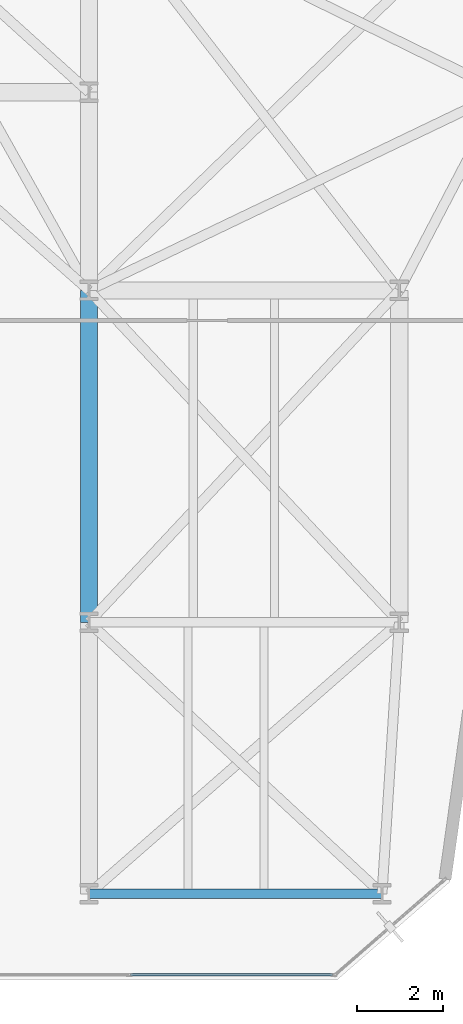
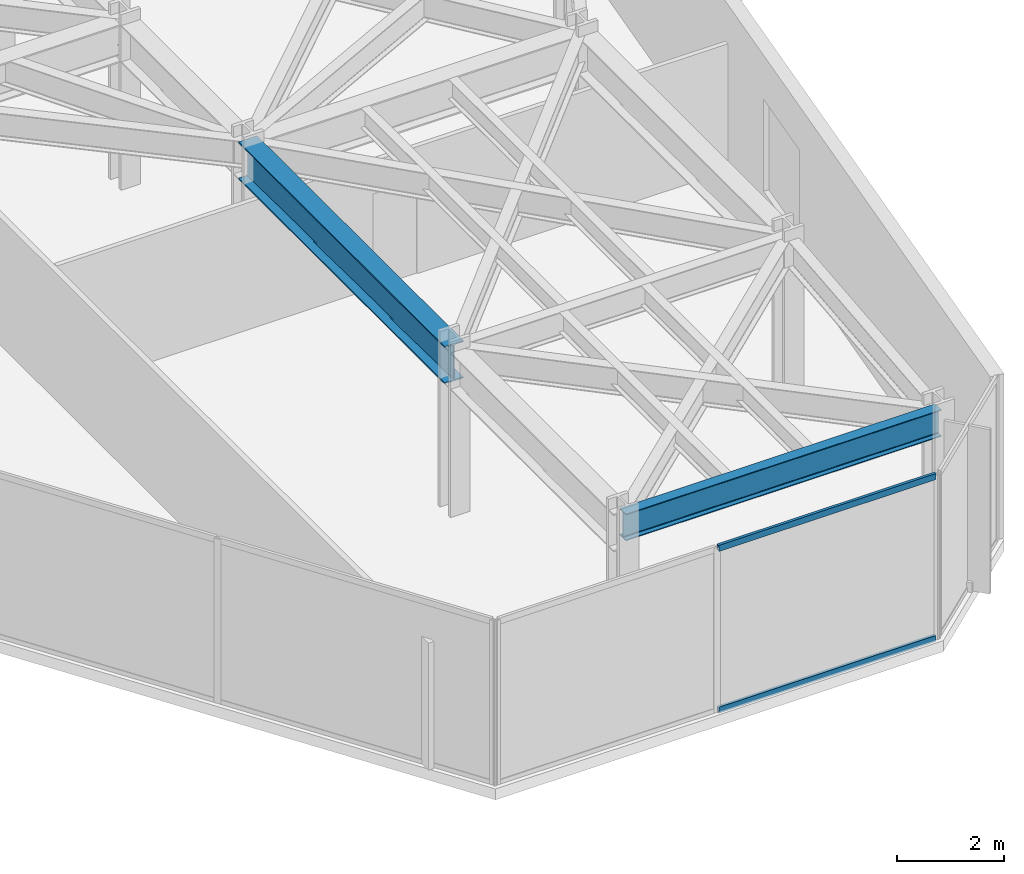
# One storey, part 18 of 26: 2 beams, 2 members, 1 element without a shape of its own.
"""IFC4 building model written with IfcOpenShell, lengths in metres."""

from ifc_helpers import new_model, si_unit, direction, frame, origin, origin_2d, place, context, subcontext, project, spatial, hollow_rectangle, i_section, extrude, material, layer, layer_set, material_profile, profile_set, type_object, element, aggregate, save


model = new_model("IFC4")

# Units and contexts
model_context = context("Model", 3, precision=1e-05, world=origin(), true_north=direction((0.0, 1.0)))
body_context = subcontext(model_context, "Body", "Model", "MODEL_VIEW")
ifc_project = project(units=[si_unit("LENGTHUNIT", "METRE"), si_unit("AREAUNIT", "SQUARE_METRE"), si_unit("VOLUMEUNIT", "CUBIC_METRE"), si_unit("PLANEANGLEUNIT", "RADIAN"), si_unit("MASSUNIT", "GRAM", prefix="KILO")], contexts=[model_context])

# Site, building, storey
site_placement = place(None, origin())
site = spatial("IfcSite", under=ifc_project, at=site_placement, CompositionType="ELEMENT")
building_placement = place(site_placement, origin())
building = spatial("IfcBuilding", under=site, at=building_placement, Name="Kravanh Interchange Tower", CompositionType="ELEMENT")
storey_placement = place(building_placement, frame((0.0, 0.0, 124.0)))
storey = spatial("IfcBuildingStorey", under=building, at=storey_placement, Name="L29", CompositionType="ELEMENT", Elevation=124.0)

# Curtain wall, members
ifc_material_1 = material(Name="Anodised Bronze Aluminium", Category="aluminium")
ifc_layer = layer(ifc_material_1, 0.179931640625)
ifc_layer_set = layer_set([ifc_layer], Name="Unitised Curtain Wall System CW-Z2 Mid Office")
curtain_wall_type = type_object("IfcCurtainWallType", Name="Unitised Curtain Wall System CW-Z2 Mid Office", PredefinedType="NOTDEFINED", material=ifc_layer_set)
curtain_wall_placement = place(storey_placement, origin())
curtain_wall = element("IfcCurtainWall", 1, at=curtain_wall_placement, inside=storey, type_object=curtain_wall_type, Name="L29 Unitised Curtain Wall CW-L29-03", PredefinedType="NOTDEFINED")
ifc_material_2 = material(Name="Anodised Bronze Aluminium", Category="aluminium")
ifc_material_profile_1 = material_profile(ifc_material_2, hollow_rectangle(XDim=0.06005859375, YDim=0.139892578125, WallThickness=0.00390625, at=origin_2d()), Name="ALU60X140X4")
ifc_profile_set_1 = profile_set([ifc_material_profile_1], Name="Anodised Bronze Aluminium")
member_type = type_object("IfcMemberType", Name="Curtain Wall Transom ALU60X140X4 Bronze", PredefinedType="USERDEFINED", material=ifc_profile_set_1)
member_1_placement = place(storey_placement, frame((61.650146484375, 6.320068359375, 0.030029296875), z_axis=(-1.0, 0.0, 0.0), x_axis=(0.0, -1.0, 0.0)))
member_1 = element("IfcMember", 2, at=member_1_placement, type_object=member_type, Name="CW-Z2 transom 1.1", ObjectType="TRANSOM", PredefinedType="USERDEFINED", context=body_context, shape_type="SweptSolid", body=[
    extrude(hollow_rectangle(XDim=0.06005859375, YDim=0.139892578125, WallThickness=0.00390625, at=origin_2d()), origin(), (0.0, 0.0, 1.0), 4.68212890625),
])
member_2_placement = place(storey_placement, frame((61.650146484375, 6.320068359375, 3.719970703125), z_axis=(-1.0, 0.0, 0.0), x_axis=(0.0, -1.0, 0.0)))
member_2 = element("IfcMember", 3, at=member_2_placement, type_object=member_type, Name="CW-Z2 transom 1.2", ObjectType="TRANSOM", PredefinedType="USERDEFINED", context=body_context, shape_type="SweptSolid", body=[
    extrude(hollow_rectangle(XDim=0.06005859375, YDim=0.139892578125, WallThickness=0.00390625, at=origin_2d()), origin(), (0.0, 0.0, 1.0), 4.68212890625),
])
aggregate(curtain_wall, [member_1, member_2])

# Beams
ifc_material_3 = material(Name="Structural Steel S355", Category="steel")
ifc_material_profile_2 = material_profile(ifc_material_3, i_section(OverallWidth=0.39990234375, OverallDepth=0.85595703125, WebThickness=0.018310546875, FlangeThickness=0.029296875, FilletRadius=0.02490234375, at=origin_2d()), Name="W33X201")
ifc_profile_set_2 = profile_set([ifc_material_profile_2], Name="Structural Steel S355")
beam_type_1 = type_object("IfcBeamType", Name="Floor Beam W33X201 Structural Steel S355", PredefinedType="BEAM", material=ifc_profile_set_2)
beam_1_placement = place(storey_placement, frame((56.0, 14.5, 3.322021484375), z_axis=(0.0, 1.0, 0.0), x_axis=(-1.0, 0.0, 0.0)))
element("IfcBeam", 4, at=beam_1_placement, inside=storey, type_object=beam_type_1, Name="L29 Primary Floor Girder 104", PredefinedType="BEAM", context=body_context, shape_type="SweptSolid", body=[
    extrude(i_section(OverallWidth=0.39990234375, OverallDepth=0.85595703125, WebThickness=0.018310546875, FlangeThickness=0.029296875, FilletRadius=0.02490234375, at=origin_2d()), origin(), (0.0, 0.0, 1.0), 7.699951171875),
])
ifc_material_4 = material(Name="Structural Steel S355", Category="steel")
ifc_material_profile_3 = material_profile(ifc_material_4, i_section(OverallWidth=0.22802734375, OverallDepth=0.60791015625, WebThickness=0.01123046875, FlangeThickness=0.017333984375, FilletRadius=0.02197265625, at=origin_2d()), Name="W24X76")
ifc_profile_set_3 = profile_set([ifc_material_profile_3], Name="Structural Steel S355")
beam_type_2 = type_object("IfcBeamType", Name="Floor Spandrel W24X76 Structural Steel S355", PredefinedType="SPANDREL", material=ifc_profile_set_3)
beam_2_placement = place(storey_placement, frame((56.0, 8.199951171875, 3.446044921875), z_axis=(1.0, 0.0, 0.0), x_axis=(0.0, 1.0, 0.0)))
element("IfcBeam", 5, at=beam_2_placement, inside=storey, type_object=beam_type_2, Name="L29 Perimeter Spandrel 96", PredefinedType="SPANDREL", context=body_context, shape_type="SweptSolid", body=[
    extrude(i_section(OverallWidth=0.22802734375, OverallDepth=0.60791015625, WebThickness=0.01123046875, FlangeThickness=0.017333984375, FilletRadius=0.02197265625, at=origin_2d()), origin(), (0.0, 0.0, 1.0), 6.800048828125),
])

save(model, "model.ifc")
